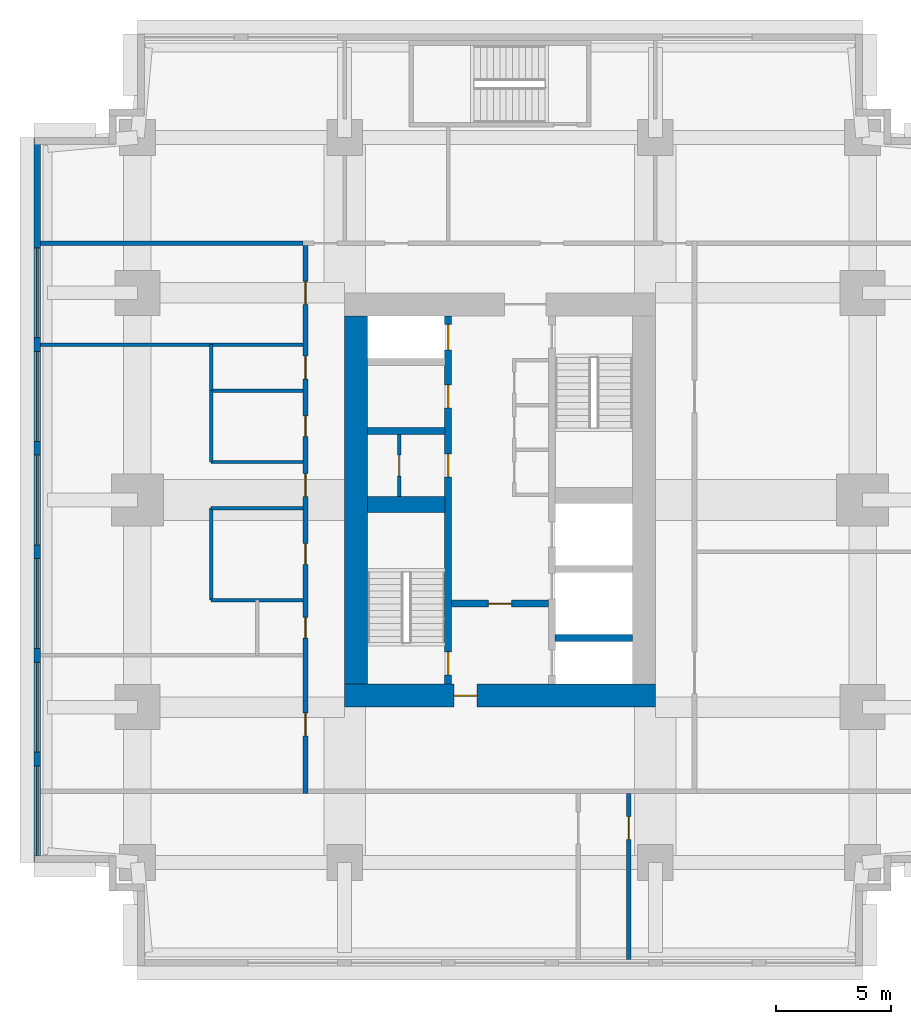
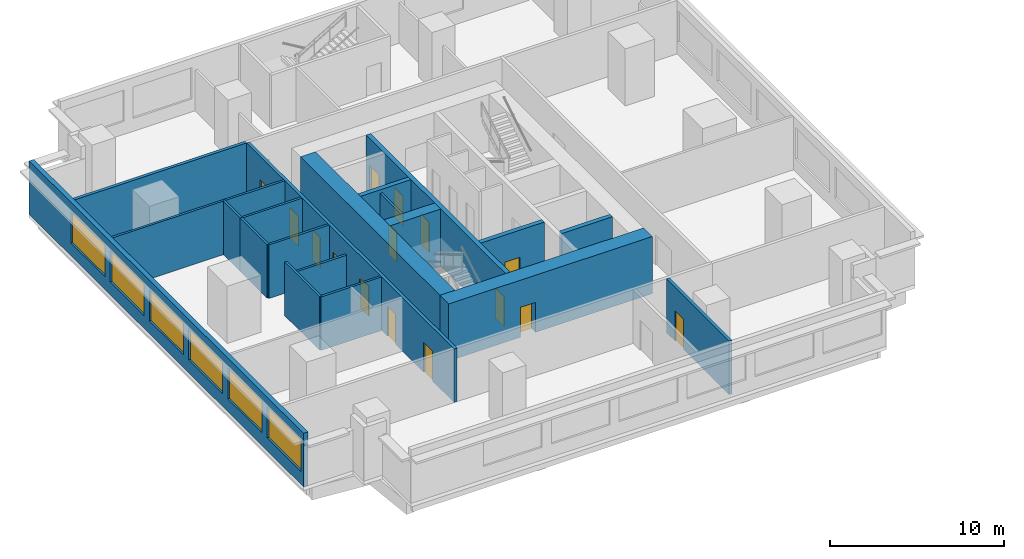
# One storey, part 3 of 11: 20 walls, 15 doors, 6 windows, 21 openings.
"""IFC4 building model written with IfcOpenShell, lengths in metres."""

from ifc_helpers import new_model, si_unit, direction, frame, frame_2d, origin, place, context, subcontext, project, spatial, rectangle, extrude, material, layer, layer_set, type_object, element, fill, save


model = new_model("IFC4")

# Units and contexts
model_context = context("Model", 3, precision=1e-05, world=origin(), true_north=direction((0.0, 1.0)))
body_context = subcontext(model_context, "Body", "Model", "MODEL_VIEW")
ifc_project = project(units=[si_unit("LENGTHUNIT", "METRE"), si_unit("AREAUNIT", "SQUARE_METRE"), si_unit("VOLUMEUNIT", "CUBIC_METRE"), si_unit("PLANEANGLEUNIT", "RADIAN"), si_unit("MASSUNIT", "GRAM", prefix="KILO")], contexts=[model_context])

# Site, building, storey
site_placement = place(None, origin())
site = spatial("IfcSite", under=ifc_project, at=site_placement, CompositionType="ELEMENT")
building_placement = place(site_placement, origin())
building = spatial("IfcBuilding", under=site, at=building_placement, Name="Namib Vertical Campus", CompositionType="ELEMENT")
storey_placement = place(building_placement, frame((0.0, 0.0, 213.0)))
storey = spatial("IfcBuildingStorey", under=building, at=storey_placement, Name="L50", CompositionType="ELEMENT", Elevation=213.0)

# Wall, openings, doors
ifc_material_1 = material(Name="Concrete C60/75", Category="concrete")
ifc_layer_1 = layer(ifc_material_1, 0.300048828125)
ifc_layer_set_1 = layer_set([ifc_layer_1], Name="Concrete C60/75")
wall_type_1 = type_object("IfcWallType", Name="Core inner wall 300", PredefinedType="SHEAR", material=ifc_layer_set_1)
wall_1_placement = place(storey_placement, frame((18.0, 12.25, 0.0), z_axis=(0.0, 0.0, 1.0), x_axis=(0.0, 1.0, 0.0)))
wall_1 = element("IfcWall", 1, at=wall_1_placement, inside=storey, type_object=wall_type_1, Name="Core inner wall A L50 W1", PredefinedType="SHEAR", context=body_context, shape_type="SweptSolid", body=[
    extrude(rectangle(XDim=16.0, YDim=0.300048828125, at=frame_2d((8.0, 0.0))), origin(), (0.0, 0.0, 1.0), 4.0),
])
opening_1_placement = place(wall_1_placement, frame((0.39990234375, 0.0, 0.0)))
opening_1 = element("IfcOpeningElement", 2, at=opening_1_placement, cuts=wall_1, Name="Opening FD1", PredefinedType="OPENING", context=body_context, shape_type="SweptSolid", body=[
    extrude(rectangle(XDim=1.0, YDim=2.10009765625, at=frame_2d((0.5, 1.050048828125))), frame((0.0, 0.159912109375, 0.0), z_axis=(0.0, -1.0, 0.0), x_axis=(1.0, 0.0, 0.0)), (0.0, 0.0, 1.0), 0.320068359375),
])
opening_2_placement = place(wall_1_placement, frame((14.52490234375, 0.0, 0.0)))
opening_2 = element("IfcOpeningElement", 3, at=opening_2_placement, cuts=wall_1, Name="Opening LD1", PredefinedType="OPENING", context=body_context, shape_type="SweptSolid", body=[
    extrude(rectangle(XDim=1.10009765625, YDim=2.10009765625, at=frame_2d((0.550048828125, 1.050048828125))), frame((0.0, 0.159912109375, 0.0), z_axis=(0.0, -1.0, 0.0), x_axis=(1.0, 0.0, 0.0)), (0.0, 0.0, 1.0), 0.320068359375),
])
opening_3_placement = place(wall_1_placement, frame((9.0, 0.0, 0.0)))
opening_3 = element("IfcOpeningElement", 4, at=opening_3_placement, cuts=wall_1, Name="Opening D1", PredefinedType="OPENING", context=body_context, shape_type="SweptSolid", body=[
    extrude(rectangle(XDim=1.0, YDim=2.10009765625, at=frame_2d((0.5, 1.050048828125))), frame((0.0, 0.159912109375, 0.0), z_axis=(0.0, -1.0, 0.0), x_axis=(1.0, 0.0, 0.0)), (0.0, 0.0, 1.0), 0.320068359375),
])
opening_4_placement = place(wall_1_placement, frame((12.0, 0.0, 0.0)))
opening_4 = element("IfcOpeningElement", 5, at=opening_4_placement, cuts=wall_1, Name="Opening D1", PredefinedType="OPENING", context=body_context, shape_type="SweptSolid", body=[
    extrude(rectangle(XDim=1.0, YDim=2.10009765625, at=frame_2d((0.5, 1.050048828125))), frame((0.0, 0.159912109375, 0.0), z_axis=(0.0, -1.0, 0.0), x_axis=(1.0, 0.0, 0.0)), (0.0, 0.0, 1.0), 0.320068359375),
])
ifc_material_2 = material(Name="Timber door leaf", Category="wood")
door_type_1 = type_object("IfcDoorType", Name="Door single 1000x2100", OperationType="SINGLE_SWING_LEFT", PredefinedType="DOOR", material=ifc_material_2)
door_1_placement = place(opening_3_placement, origin())
door_1 = element("IfcDoor", 6, at=door_1_placement, inside=storey, type_object=door_type_1, Name="Door D1 Records store A L50 P1", OperationType="SINGLE_SWING_LEFT", OverallHeight=2.10009765625, OverallWidth=1.0, PredefinedType="DOOR", context=body_context, shape_type="SweptSolid", body=[
    extrude(rectangle(XDim=1.0, YDim=2.10009765625, at=frame_2d((0.5, 1.050048828125))), frame((0.0, 0.02490234375, 0.0), z_axis=(0.0, -1.0, 0.0), x_axis=(1.0, 0.0, 0.0)), (0.0, 0.0, 1.0), 0.050048828125),
])
fill(opening_3, door_1)
door_2_placement = place(opening_4_placement, origin())
door_2 = element("IfcDoor", 7, at=door_2_placement, inside=storey, type_object=door_type_1, Name="Door D1 Staff pantry A L50 P2", OperationType="SINGLE_SWING_LEFT", OverallHeight=2.10009765625, OverallWidth=1.0, PredefinedType="DOOR", context=body_context, shape_type="SweptSolid", body=[
    extrude(rectangle(XDim=1.0, YDim=2.10009765625, at=frame_2d((0.5, 1.050048828125))), frame((0.0, 0.02490234375, 0.0), z_axis=(0.0, -1.0, 0.0), x_axis=(1.0, 0.0, 0.0)), (0.0, 0.0, 1.0), 0.050048828125),
])
fill(opening_4, door_2)
ifc_material_3 = material(Name="Steel fire door", Category="steel")
door_type_2 = type_object("IfcDoorType", Name="Fire door 1000x2100", OperationType="SINGLE_SWING_RIGHT", PredefinedType="DOOR", material=ifc_material_3)
door_3_placement = place(opening_1_placement, origin())
door_3 = element("IfcDoor", 8, at=door_3_placement, inside=storey, type_object=door_type_2, Name="Stair door FD1 A L50 S1", OperationType="SINGLE_SWING_LEFT", OverallHeight=2.10009765625, OverallWidth=1.0, PredefinedType="DOOR", context=body_context, shape_type="SweptSolid", body=[
    extrude(rectangle(XDim=1.0, YDim=2.10009765625, at=frame_2d((0.5, 1.050048828125))), frame((0.0, 0.02490234375, 0.0), z_axis=(0.0, -1.0, 0.0), x_axis=(1.0, 0.0, 0.0)), (0.0, 0.0, 1.0), 0.050048828125),
])
fill(opening_1, door_3)
ifc_material_4 = material(Name="Stainless steel lift door", Category="steel")
door_type_3 = type_object("IfcDoorType", Name="Lift landing door 1100x2100", OperationType="DOUBLE_DOOR_SLIDING", PredefinedType="DOOR", material=ifc_material_4)
door_4_placement = place(opening_2_placement, origin())
door_4 = element("IfcDoor", 9, at=door_4_placement, inside=storey, type_object=door_type_3, Name="Lift landing door LD1 A-P3 L50", OperationType="DOUBLE_DOOR_SLIDING", OverallHeight=2.10009765625, OverallWidth=1.10009765625, PredefinedType="DOOR", context=body_context, shape_type="SweptSolid", body=[
    extrude(rectangle(XDim=1.10009765625, YDim=2.10009765625, at=frame_2d((0.550048828125, 1.050048828125))), frame((0.0, 0.02490234375, 0.0), z_axis=(0.0, -1.0, 0.0), x_axis=(1.0, 0.0, 0.0)), (0.0, 0.0, 1.0), 0.050048828125),
])
fill(opening_2, door_4)

# Wall, opening, door
wall_2_placement = place(storey_placement, frame((18.14990234375, 15.75, 0.0), z_axis=(0.0, 0.0, 1.0), x_axis=(1.0, 0.0, 0.0)))
wall_2 = element("IfcWall", 10, at=wall_2_placement, inside=storey, type_object=wall_type_1, Name="Core inner wall A L50 W4", PredefinedType="SHEAR", context=body_context, shape_type="SweptSolid", body=[
    extrude(rectangle(XDim=4.2001953125, YDim=0.300048828125, at=frame_2d((2.10009765625, 0.0))), origin(), (0.0, 0.0, 1.0), 4.0),
])
opening_5_placement = place(wall_2_placement, frame((1.60009765625, 0.0, 0.0)))
opening_5 = element("IfcOpeningElement", 11, at=opening_5_placement, cuts=wall_2, Name="Opening FD5", PredefinedType="OPENING", context=body_context, shape_type="SweptSolid", body=[
    extrude(rectangle(XDim=1.0, YDim=2.10009765625, at=frame_2d((0.5, 1.050048828125))), frame((0.0, 0.159912109375, 0.0), z_axis=(0.0, -1.0, 0.0), x_axis=(1.0, 0.0, 0.0)), (0.0, 0.0, 1.0), 0.320068359375),
])
ifc_material_5 = material(Name="Steel fire door", Category="steel")
door_type_4 = type_object("IfcDoorType", Name="Fire door 1000x2100 120 min", OperationType="SINGLE_SWING_RIGHT", PredefinedType="DOOR", material=ifc_material_5)
door_5_placement = place(opening_5_placement, frame((1.0, 0.0, 0.0), z_axis=(0.0, 0.0, 1.0), x_axis=(-1.0, 0.0, 0.0)))
door_5 = element("IfcDoor", 12, at=door_5_placement, inside=storey, type_object=door_type_4, Name="Lobby door FD5 A L50", OperationType="SINGLE_SWING_RIGHT", OverallHeight=2.10009765625, OverallWidth=1.0, PredefinedType="DOOR", context=body_context, shape_type="SweptSolid", body=[
    extrude(rectangle(XDim=1.0, YDim=2.10009765625, at=frame_2d((0.5, 1.050048828125))), frame((0.0, 0.02490234375, 0.0), z_axis=(0.0, -1.0, 0.0), x_axis=(1.0, 0.0, 0.0)), (0.0, 0.0, 1.0), 0.050048828125),
])
fill(opening_5, door_5)

# Walls
for number, where, z_axis, x_axis, name in (
    (13, (22.64990234375, 14.25, 0.0), (0.0, 0.0, 1.0), (1.0, 0.0, 0.0), "Core inner wall A L50 W5"),
    (14, (14.5, 23.25, 0.0), (0.0, 0.0, 1.0), (1.0, 0.0, 0.0), "Core inner wall A L50 W8"),
):
    element("IfcWall", number, at=place(storey_placement, frame(where, z_axis=z_axis, x_axis=x_axis)), inside=storey, type_object=wall_type_1, Name=name, PredefinedType="SHEAR", context=body_context, shape_type="SweptSolid", body=[
        extrude(rectangle(XDim=3.35009765625, YDim=0.300048828125, at=frame_2d((1.675048828125, 0.0))), origin(), (0.0, 0.0, 1.0), 4.0),
    ])
ifc_material_6 = material(Name="Concrete C60/75", Category="concrete")
ifc_layer_2 = layer(ifc_material_6, 0.699951171875)
ifc_layer_set_2 = layer_set([ifc_layer_2], Name="Concrete C60/75")
wall_type_2 = type_object("IfcWallType", Name="Core shear wall 700", PredefinedType="SHEAR", material=ifc_layer_set_2)
wall_3_placement = place(storey_placement, frame((14.5, 20.050048828125, 0.0), z_axis=(0.0, 0.0, 1.0), x_axis=(1.0, 0.0, 0.0)))
element("IfcWall", 15, at=wall_3_placement, inside=storey, type_object=wall_type_2, Name="Core shear wall A L50 W3", PredefinedType="SHEAR", context=body_context, shape_type="SweptSolid", body=[
    extrude(rectangle(XDim=3.35009765625, YDim=0.699951171875, at=frame_2d((1.675048828125, 0.0))), origin(), (0.0, 0.0, 1.0), 4.0),
])

# Wall, opening, door
ifc_material_7 = material(Name="Concrete C60/75", Category="concrete")
ifc_layer_3 = layer(ifc_material_7, 1.0)
ifc_layer_set_3 = layer_set([ifc_layer_3], Name="Concrete C60/75")
wall_type_3 = type_object("IfcWallType", Name="Core wall 1000", PredefinedType="SHEAR", material=ifc_layer_set_3)
wall_4_placement = place(storey_placement, frame((13.5, 11.75, 0.0), z_axis=(0.0, 0.0, 1.0), x_axis=(1.0, 0.0, 0.0)))
wall_4 = element("IfcWall", 16, at=wall_4_placement, inside=storey, type_object=wall_type_3, Name="Core wall A L50 1", PredefinedType="SHEAR", context=body_context, shape_type="SweptSolid", body=[
    extrude(rectangle(XDim=13.5, YDim=1.0, at=frame_2d((6.75, 0.0))), origin(), (0.0, 0.0, 1.0), 4.0),
])
opening_6_placement = place(wall_4_placement, frame((4.75, 0.0, 0.0)))
opening_6 = element("IfcOpeningElement", 17, at=opening_6_placement, cuts=wall_4, Name="Opening FD5", PredefinedType="OPENING", context=body_context, shape_type="SweptSolid", body=[
    extrude(rectangle(XDim=1.0, YDim=2.10009765625, at=frame_2d((0.5, 1.050048828125))), frame((0.0, 0.510009765625, 0.0), z_axis=(0.0, -1.0, 0.0), x_axis=(1.0, 0.0, 0.0)), (0.0, 0.0, 1.0), 1.02001953125),
])
door_6_placement = place(opening_6_placement, origin())
door_6 = element("IfcDoor", 18, at=door_6_placement, inside=storey, type_object=door_type_4, Name="Firefighting lobby door FD5 A L50", OperationType="SINGLE_SWING_LEFT", OverallHeight=2.10009765625, OverallWidth=1.0, PredefinedType="DOOR", context=body_context, shape_type="SweptSolid", body=[
    extrude(rectangle(XDim=1.0, YDim=2.10009765625, at=frame_2d((0.5, 1.050048828125))), frame((0.0, 0.02490234375, 0.0), z_axis=(0.0, -1.0, 0.0), x_axis=(1.0, 0.0, 0.0)), (0.0, 0.0, 1.0), 0.050048828125),
])
fill(opening_6, door_6)

# Wall
wall_5_placement = place(storey_placement, frame((14.0, 28.25, 0.0), z_axis=(0.0, 0.0, 1.0), x_axis=(0.0, -1.0, 0.0)))
element("IfcWall", 19, at=wall_5_placement, inside=storey, type_object=wall_type_3, Name="Core wall A L50 4", PredefinedType="SHEAR", context=body_context, shape_type="SweptSolid", body=[
    extrude(rectangle(XDim=16.0, YDim=1.0, at=frame_2d((8.0, 0.0))), origin(), (0.0, 0.0, 1.0), 4.0),
])

# Wall, openings, doors
ifc_material_8 = material(Name="Concrete masonry", Category="masonry")
ifc_layer_4 = layer(ifc_material_8, 0.199951171875)
ifc_layer_set_4 = layer_set([ifc_layer_4], Name="Corridor wall 200")
wall_type_4 = type_object("IfcWallType", Name="Corridor wall 200", PredefinedType="SOLIDWALL", material=ifc_layer_set_4)
wall_6_placement = place(storey_placement, frame((11.800048828125, 31.300048828125, 0.0), z_axis=(0.0, 0.0, 1.0), x_axis=(0.0, -1.0, 0.0)))
wall_6 = element("IfcWall", 20, at=wall_6_placement, inside=storey, type_object=wall_type_4, Name="Corridor wall A L50 CW", PredefinedType="SOLIDWALL", context=body_context, shape_type="SweptSolid", body=[
    extrude(rectangle(XDim=23.800048828125, YDim=0.199951171875, at=frame_2d((11.89990234375, 0.0))), origin(), (0.0, 0.0, 1.0), 3.75),
])
opening_7_placement = place(wall_6_placement, frame((20.300048828125, 0.0, 0.0)))
opening_7 = element("IfcOpeningElement", 21, at=opening_7_placement, cuts=wall_6, Name="Opening CD1", PredefinedType="OPENING", context=body_context, shape_type="SweptSolid", body=[
    extrude(rectangle(XDim=1.0, YDim=2.10009765625, at=frame_2d((0.5, 1.050048828125))), frame((0.0, 0.10986328125, 0.0), z_axis=(0.0, -1.0, 0.0), x_axis=(1.0, 0.0, 0.0)), (0.0, 0.0, 1.0), 0.219970703125),
])
opening_8_placement = place(wall_6_placement, frame((16.14990234375, 0.0, 0.0)))
opening_8 = element("IfcOpeningElement", 22, at=opening_8_placement, cuts=wall_6, Name="Opening CD3", PredefinedType="OPENING", context=body_context, shape_type="SweptSolid", body=[
    extrude(rectangle(XDim=0.89990234375, YDim=2.10009765625, at=frame_2d((0.449951171875, 1.050048828125))), frame((0.0, 0.10986328125, 0.0), z_axis=(0.0, -1.0, 0.0), x_axis=(1.0, 0.0, 0.0)), (0.0, 0.0, 1.0), 0.219970703125),
])
opening_9_placement = place(wall_6_placement, frame((12.949951171875, 0.0, 0.0)))
opening_9 = element("IfcOpeningElement", 23, at=opening_9_placement, cuts=wall_6, Name="Opening CD3", PredefinedType="OPENING", context=body_context, shape_type="SweptSolid", body=[
    extrude(rectangle(XDim=0.89990234375, YDim=2.10009765625, at=frame_2d((0.449951171875, 1.050048828125))), frame((0.0, 0.10986328125, 0.0), z_axis=(0.0, -1.0, 0.0), x_axis=(1.0, 0.0, 0.0)), (0.0, 0.0, 1.0), 0.219970703125),
])
opening_10_placement = place(wall_6_placement, frame((7.39990234375, 0.0, 0.0)))
opening_10 = element("IfcOpeningElement", 24, at=opening_10_placement, cuts=wall_6, Name="Opening CD3", PredefinedType="OPENING", context=body_context, shape_type="SweptSolid", body=[
    extrude(rectangle(XDim=0.89990234375, YDim=2.10009765625, at=frame_2d((0.449951171875, 1.050048828125))), frame((0.0, 0.10986328125, 0.0), z_axis=(0.0, -1.0, 0.0), x_axis=(1.0, 0.0, 0.0)), (0.0, 0.0, 1.0), 0.219970703125),
])
opening_11_placement = place(wall_6_placement, frame((4.800048828125, 0.0, 0.0)))
opening_11 = element("IfcOpeningElement", 25, at=opening_11_placement, cuts=wall_6, Name="Opening CD1", PredefinedType="OPENING", context=body_context, shape_type="SweptSolid", body=[
    extrude(rectangle(XDim=1.0, YDim=2.10009765625, at=frame_2d((0.5, 1.050048828125))), frame((0.0, 0.10986328125, 0.0), z_axis=(0.0, -1.0, 0.0), x_axis=(1.0, 0.0, 0.0)), (0.0, 0.0, 1.0), 0.219970703125),
])
opening_12_placement = place(wall_6_placement, frame((9.89990234375, 0.0, 0.0)))
opening_12 = element("IfcOpeningElement", 26, at=opening_12_placement, cuts=wall_6, Name="Opening CD1", PredefinedType="OPENING", context=body_context, shape_type="SweptSolid", body=[
    extrude(rectangle(XDim=1.0, YDim=2.10009765625, at=frame_2d((0.5, 1.050048828125))), frame((0.0, 0.10986328125, 0.0), z_axis=(0.0, -1.0, 0.0), x_axis=(1.0, 0.0, 0.0)), (0.0, 0.0, 1.0), 0.219970703125),
])
opening_13_placement = place(wall_6_placement, frame((1.550048828125, 0.0, 0.0)))
opening_13 = element("IfcOpeningElement", 27, at=opening_13_placement, cuts=wall_6, Name="Opening CD1", PredefinedType="OPENING", context=body_context, shape_type="SweptSolid", body=[
    extrude(rectangle(XDim=1.0, YDim=2.10009765625, at=frame_2d((0.5, 1.050048828125))), frame((0.0, 0.10986328125, 0.0), z_axis=(0.0, -1.0, 0.0), x_axis=(1.0, 0.0, 0.0)), (0.0, 0.0, 1.0), 0.219970703125),
])
ifc_material_9 = material(Name="Timber fire door leaf", Category="wood")
door_type_5 = type_object("IfcDoorType", Name="Corridor door 1000x2100 20 min", OperationType="SINGLE_SWING_LEFT", PredefinedType="DOOR", material=ifc_material_9)
door_7_placement = place(opening_7_placement, frame((1.0, 0.0, 0.0), z_axis=(0.0, 0.0, 1.0), x_axis=(-1.0, 0.0, 0.0)))
door_7 = element("IfcDoor", 28, at=door_7_placement, inside=storey, type_object=door_type_5, Name="Door CD1 A50-09", OperationType="SINGLE_SWING_RIGHT", OverallHeight=2.10009765625, OverallWidth=1.0, PredefinedType="DOOR", context=body_context, shape_type="SweptSolid", body=[
    extrude(rectangle(XDim=1.0, YDim=2.10009765625, at=frame_2d((0.5, 1.050048828125))), frame((0.0, 0.02490234375, 0.0), z_axis=(0.0, -1.0, 0.0), x_axis=(1.0, 0.0, 0.0)), (0.0, 0.0, 1.0), 0.050048828125),
])
fill(opening_7, door_7)
door_8_placement = place(opening_11_placement, frame((1.0, 0.0, 0.0), z_axis=(0.0, 0.0, 1.0), x_axis=(-1.0, 0.0, 0.0)))
door_8 = element("IfcDoor", 29, at=door_8_placement, inside=storey, type_object=door_type_5, Name="Door CD1 A50-13", OperationType="SINGLE_SWING_RIGHT", OverallHeight=2.10009765625, OverallWidth=1.0, PredefinedType="DOOR", context=body_context, shape_type="SweptSolid", body=[
    extrude(rectangle(XDim=1.0, YDim=2.10009765625, at=frame_2d((0.5, 1.050048828125))), frame((0.0, 0.02490234375, 0.0), z_axis=(0.0, -1.0, 0.0), x_axis=(1.0, 0.0, 0.0)), (0.0, 0.0, 1.0), 0.050048828125),
])
fill(opening_11, door_8)
door_9_placement = place(opening_12_placement, frame((1.0, 0.0, 0.0), z_axis=(0.0, 0.0, 1.0), x_axis=(-1.0, 0.0, 0.0)))
door_9 = element("IfcDoor", 30, at=door_9_placement, inside=storey, type_object=door_type_5, Name="Door CD1 A50-14", OperationType="SINGLE_SWING_RIGHT", OverallHeight=2.10009765625, OverallWidth=1.0, PredefinedType="DOOR", context=body_context, shape_type="SweptSolid", body=[
    extrude(rectangle(XDim=1.0, YDim=2.10009765625, at=frame_2d((0.5, 1.050048828125))), frame((0.0, 0.02490234375, 0.0), z_axis=(0.0, -1.0, 0.0), x_axis=(1.0, 0.0, 0.0)), (0.0, 0.0, 1.0), 0.050048828125),
])
fill(opening_12, door_9)
door_10_placement = place(opening_13_placement, frame((1.0, 0.0, 0.0), z_axis=(0.0, 0.0, 1.0), x_axis=(-1.0, 0.0, 0.0)))
door_10 = element("IfcDoor", 31, at=door_10_placement, inside=storey, type_object=door_type_5, Name="Door CD1 A50-15", OperationType="SINGLE_SWING_RIGHT", OverallHeight=2.10009765625, OverallWidth=1.0, PredefinedType="DOOR", context=body_context, shape_type="SweptSolid", body=[
    extrude(rectangle(XDim=1.0, YDim=2.10009765625, at=frame_2d((0.5, 1.050048828125))), frame((0.0, 0.02490234375, 0.0), z_axis=(0.0, -1.0, 0.0), x_axis=(1.0, 0.0, 0.0)), (0.0, 0.0, 1.0), 0.050048828125),
])
fill(opening_13, door_10)
ifc_material_10 = material(Name="Timber fire door leaf", Category="wood")
door_type_6 = type_object("IfcDoorType", Name="Corridor toilet door 900x2100 20 min", OperationType="SINGLE_SWING_LEFT", PredefinedType="DOOR", material=ifc_material_10)
door_11_placement = place(opening_8_placement, frame((0.89990234375, 0.0, 0.0), z_axis=(0.0, 0.0, 1.0), x_axis=(-1.0, 0.0, 0.0)))
door_11 = element("IfcDoor", 32, at=door_11_placement, inside=storey, type_object=door_type_6, Name="Door CD3 A50-10", OperationType="SINGLE_SWING_RIGHT", OverallHeight=2.10009765625, OverallWidth=0.89990234375, PredefinedType="DOOR", context=body_context, shape_type="SweptSolid", body=[
    extrude(rectangle(XDim=0.89990234375, YDim=2.10009765625, at=frame_2d((0.449951171875, 1.050048828125))), frame((0.0, 0.02490234375, 0.0), z_axis=(0.0, -1.0, 0.0), x_axis=(1.0, 0.0, 0.0)), (0.0, 0.0, 1.0), 0.050048828125),
])
fill(opening_8, door_11)
door_12_placement = place(opening_9_placement, frame((0.89990234375, 0.0, 0.0), z_axis=(0.0, 0.0, 1.0), x_axis=(-1.0, 0.0, 0.0)))
door_12 = element("IfcDoor", 33, at=door_12_placement, inside=storey, type_object=door_type_6, Name="Door CD3 A50-11", OperationType="SINGLE_SWING_RIGHT", OverallHeight=2.10009765625, OverallWidth=0.89990234375, PredefinedType="DOOR", context=body_context, shape_type="SweptSolid", body=[
    extrude(rectangle(XDim=0.89990234375, YDim=2.10009765625, at=frame_2d((0.449951171875, 1.050048828125))), frame((0.0, 0.02490234375, 0.0), z_axis=(0.0, -1.0, 0.0), x_axis=(1.0, 0.0, 0.0)), (0.0, 0.0, 1.0), 0.050048828125),
])
fill(opening_9, door_12)
door_13_placement = place(opening_10_placement, frame((0.89990234375, 0.0, 0.0), z_axis=(0.0, 0.0, 1.0), x_axis=(-1.0, 0.0, 0.0)))
door_13 = element("IfcDoor", 34, at=door_13_placement, inside=storey, type_object=door_type_6, Name="Door CD3 A50-12", OperationType="SINGLE_SWING_RIGHT", OverallHeight=2.10009765625, OverallWidth=0.89990234375, PredefinedType="DOOR", context=body_context, shape_type="SweptSolid", body=[
    extrude(rectangle(XDim=0.89990234375, YDim=2.10009765625, at=frame_2d((0.449951171875, 1.050048828125))), frame((0.0, 0.02490234375, 0.0), z_axis=(0.0, -1.0, 0.0), x_axis=(1.0, 0.0, 0.0)), (0.0, 0.0, 1.0), 0.050048828125),
])
fill(opening_10, door_13)

# Wall, opening, door
wall_7_placement = place(storey_placement, frame((25.85009765625, 7.5, 0.0), z_axis=(0.0, 0.0, 1.0), x_axis=(0.0, -1.0, 0.0)))
wall_7 = element("IfcWall", 35, at=wall_7_placement, inside=storey, type_object=wall_type_4, Name="Corridor wall A L50 SPS2", PredefinedType="SOLIDWALL", context=body_context, shape_type="SweptSolid", body=[
    extrude(rectangle(XDim=7.199951171875, YDim=0.199951171875, at=frame_2d((3.60009765625, 0.0))), origin(), (0.0, 0.0, 1.0), 3.75),
])
opening_14_placement = place(wall_7_placement, frame((1.0, 0.0, 0.0)))
opening_14 = element("IfcOpeningElement", 36, at=opening_14_placement, cuts=wall_7, Name="Opening CD1", PredefinedType="OPENING", context=body_context, shape_type="SweptSolid", body=[
    extrude(rectangle(XDim=1.0, YDim=2.10009765625, at=frame_2d((0.5, 1.050048828125))), frame((0.0, 0.10986328125, 0.0), z_axis=(0.0, -1.0, 0.0), x_axis=(1.0, 0.0, 0.0)), (0.0, 0.0, 1.0), 0.219970703125),
])
door_14_placement = place(opening_14_placement, origin())
door_14 = element("IfcDoor", 37, at=door_14_placement, inside=storey, type_object=door_type_5, Name="Door CD1 A50-02", OperationType="SINGLE_SWING_LEFT", OverallHeight=2.10009765625, OverallWidth=1.0, PredefinedType="DOOR", context=body_context, shape_type="SweptSolid", body=[
    extrude(rectangle(XDim=1.0, YDim=2.10009765625, at=frame_2d((0.5, 1.050048828125))), frame((0.0, 0.02490234375, 0.0), z_axis=(0.0, -1.0, 0.0), x_axis=(1.0, 0.0, 0.0)), (0.0, 0.0, 1.0), 0.050048828125),
])
fill(opening_14, door_14)

# Wall
wall_8_placement = place(storey_placement, frame((0.300048828125, 31.39990234375, 0.0), z_axis=(0.0, 0.0, 1.0), x_axis=(1.0, 0.0, 0.0)))
element("IfcWall", 38, at=wall_8_placement, inside=storey, type_object=wall_type_4, Name="Partition A L50 BNW", PredefinedType="SOLIDWALL", context=body_context, shape_type="SweptSolid", body=[
    extrude(rectangle(XDim=11.39990234375, YDim=0.199951171875, at=frame_2d((5.699951171875, 0.0))), origin(), (0.0, 0.0, 1.0), 3.75),
])

# Wall, openings, windows
ifc_material_11 = material(Name="Concrete C40/50", Category="concrete")
ifc_layer_5 = layer(ifc_material_11, 0.300048828125)
ifc_layer_set_5 = layer_set([ifc_layer_5], Name="Concrete C40/50")
wall_type_5 = type_object("IfcWallType", Name="External wall 300 board-marked concrete", PredefinedType="STANDARD", material=ifc_layer_set_5)
wall_9_placement = place(storey_placement, frame((0.14990234375, 35.97998046875, 0.0), z_axis=(0.0, 0.0, 1.0), x_axis=(0.0, -1.0, 0.0)))
wall_9 = element("IfcWall", 39, at=wall_9_placement, inside=storey, type_object=wall_type_5, Name="External wall L50 F16", PredefinedType="STANDARD", context=body_context, shape_type="SweptSolid", body=[
    extrude(rectangle(XDim=31.4599609375, YDim=0.300048828125, at=frame_2d((15.72998046875, 0.0))), origin(), (0.0, 0.0, 1.0), 3.75),
])
opening_15_placement = place(wall_9_placement, frame((27.280029296875, 0.0, 0.89990234375)))
opening_15 = element("IfcOpeningElement", 40, at=opening_15_placement, cuts=wall_9, Name="Opening W1", PredefinedType="OPENING", context=body_context, shape_type="SweptSolid", body=[
    extrude(rectangle(XDim=3.89990234375, YDim=2.199951171875, at=frame_2d((1.949951171875, 1.10009765625))), frame((0.0, 0.159912109375, 0.0), z_axis=(0.0, -1.0, 0.0), x_axis=(1.0, 0.0, 0.0)), (0.0, 0.0, 1.0), 0.320068359375),
])
opening_16_placement = place(wall_9_placement, frame((22.780029296875, 0.0, 0.89990234375)))
opening_16 = element("IfcOpeningElement", 41, at=opening_16_placement, cuts=wall_9, Name="Opening W1", PredefinedType="OPENING", context=body_context, shape_type="SweptSolid", body=[
    extrude(rectangle(XDim=3.89990234375, YDim=2.199951171875, at=frame_2d((1.949951171875, 1.10009765625))), frame((0.0, 0.159912109375, 0.0), z_axis=(0.0, -1.0, 0.0), x_axis=(1.0, 0.0, 0.0)), (0.0, 0.0, 1.0), 0.320068359375),
])
opening_17_placement = place(wall_9_placement, frame((18.280029296875, 0.0, 0.89990234375)))
opening_17 = element("IfcOpeningElement", 42, at=opening_17_placement, cuts=wall_9, Name="Opening W1", PredefinedType="OPENING", context=body_context, shape_type="SweptSolid", body=[
    extrude(rectangle(XDim=3.89990234375, YDim=2.199951171875, at=frame_2d((1.949951171875, 1.10009765625))), frame((0.0, 0.159912109375, 0.0), z_axis=(0.0, -1.0, 0.0), x_axis=(1.0, 0.0, 0.0)), (0.0, 0.0, 1.0), 0.320068359375),
])
opening_18_placement = place(wall_9_placement, frame((13.780029296875, 0.0, 0.89990234375)))
opening_18 = element("IfcOpeningElement", 43, at=opening_18_placement, cuts=wall_9, Name="Opening W1", PredefinedType="OPENING", context=body_context, shape_type="SweptSolid", body=[
    extrude(rectangle(XDim=3.89990234375, YDim=2.199951171875, at=frame_2d((1.949951171875, 1.10009765625))), frame((0.0, 0.159912109375, 0.0), z_axis=(0.0, -1.0, 0.0), x_axis=(1.0, 0.0, 0.0)), (0.0, 0.0, 1.0), 0.320068359375),
])
opening_19_placement = place(wall_9_placement, frame((9.280029296875, 0.0, 0.89990234375)))
opening_19 = element("IfcOpeningElement", 44, at=opening_19_placement, cuts=wall_9, Name="Opening W1", PredefinedType="OPENING", context=body_context, shape_type="SweptSolid", body=[
    extrude(rectangle(XDim=3.89990234375, YDim=2.199951171875, at=frame_2d((1.949951171875, 1.10009765625))), frame((0.0, 0.159912109375, 0.0), z_axis=(0.0, -1.0, 0.0), x_axis=(1.0, 0.0, 0.0)), (0.0, 0.0, 1.0), 0.320068359375),
])
opening_20_placement = place(wall_9_placement, frame((4.780029296875, 0.0, 0.89990234375)))
opening_20 = element("IfcOpeningElement", 45, at=opening_20_placement, cuts=wall_9, Name="Opening W1", PredefinedType="OPENING", context=body_context, shape_type="SweptSolid", body=[
    extrude(rectangle(XDim=3.89990234375, YDim=2.199951171875, at=frame_2d((1.949951171875, 1.10009765625))), frame((0.0, 0.159912109375, 0.0), z_axis=(0.0, -1.0, 0.0), x_axis=(1.0, 0.0, 0.0)), (0.0, 0.0, 1.0), 0.320068359375),
])
ifc_material_12 = material(Name="Dark tinted glass in black aluminium frame", Category="aluminium")
window_type = type_object("IfcWindowType", Name="Ribbon window 3900x2200", PartitioningType="SINGLE_PANEL", PredefinedType="WINDOW", material=ifc_material_12)
window_1_placement = place(opening_15_placement, origin())
window_1 = element("IfcWindow", 46, at=window_1_placement, inside=storey, type_object=window_type, Name="Window W1 L50 F16-1", OverallHeight=2.199951171875, OverallWidth=3.89990234375, PartitioningType="SINGLE_PANEL", PredefinedType="WINDOW", context=body_context, shape_type="SweptSolid", body=[
    extrude(rectangle(XDim=3.89990234375, YDim=2.199951171875, at=frame_2d((1.949951171875, 1.10009765625))), frame((0.0, 0.030029296875, 0.0), z_axis=(0.0, -1.0, 0.0), x_axis=(1.0, 0.0, 0.0)), (0.0, 0.0, 1.0), 0.06005859375),
])
fill(opening_15, window_1)
window_2_placement = place(opening_16_placement, origin())
window_2 = element("IfcWindow", 47, at=window_2_placement, inside=storey, type_object=window_type, Name="Window W1 L50 F16-2", OverallHeight=2.199951171875, OverallWidth=3.89990234375, PartitioningType="SINGLE_PANEL", PredefinedType="WINDOW", context=body_context, shape_type="SweptSolid", body=[
    extrude(rectangle(XDim=3.89990234375, YDim=2.199951171875, at=frame_2d((1.949951171875, 1.10009765625))), frame((0.0, 0.030029296875, 0.0), z_axis=(0.0, -1.0, 0.0), x_axis=(1.0, 0.0, 0.0)), (0.0, 0.0, 1.0), 0.06005859375),
])
fill(opening_16, window_2)
window_3_placement = place(opening_17_placement, origin())
window_3 = element("IfcWindow", 48, at=window_3_placement, inside=storey, type_object=window_type, Name="Window W1 L50 F16-3", OverallHeight=2.199951171875, OverallWidth=3.89990234375, PartitioningType="SINGLE_PANEL", PredefinedType="WINDOW", context=body_context, shape_type="SweptSolid", body=[
    extrude(rectangle(XDim=3.89990234375, YDim=2.199951171875, at=frame_2d((1.949951171875, 1.10009765625))), frame((0.0, 0.030029296875, 0.0), z_axis=(0.0, -1.0, 0.0), x_axis=(1.0, 0.0, 0.0)), (0.0, 0.0, 1.0), 0.06005859375),
])
fill(opening_17, window_3)
window_4_placement = place(opening_18_placement, origin())
window_4 = element("IfcWindow", 49, at=window_4_placement, inside=storey, type_object=window_type, Name="Window W1 L50 F16-4", OverallHeight=2.199951171875, OverallWidth=3.89990234375, PartitioningType="SINGLE_PANEL", PredefinedType="WINDOW", context=body_context, shape_type="SweptSolid", body=[
    extrude(rectangle(XDim=3.89990234375, YDim=2.199951171875, at=frame_2d((1.949951171875, 1.10009765625))), frame((0.0, 0.030029296875, 0.0), z_axis=(0.0, -1.0, 0.0), x_axis=(1.0, 0.0, 0.0)), (0.0, 0.0, 1.0), 0.06005859375),
])
fill(opening_18, window_4)
window_5_placement = place(opening_19_placement, origin())
window_5 = element("IfcWindow", 50, at=window_5_placement, inside=storey, type_object=window_type, Name="Window W1 L50 F16-5", OverallHeight=2.199951171875, OverallWidth=3.89990234375, PartitioningType="SINGLE_PANEL", PredefinedType="WINDOW", context=body_context, shape_type="SweptSolid", body=[
    extrude(rectangle(XDim=3.89990234375, YDim=2.199951171875, at=frame_2d((1.949951171875, 1.10009765625))), frame((0.0, 0.030029296875, 0.0), z_axis=(0.0, -1.0, 0.0), x_axis=(1.0, 0.0, 0.0)), (0.0, 0.0, 1.0), 0.06005859375),
])
fill(opening_19, window_5)
window_6_placement = place(opening_20_placement, origin())
window_6 = element("IfcWindow", 51, at=window_6_placement, inside=storey, type_object=window_type, Name="Window W1 L50 F16-6", OverallHeight=2.199951171875, OverallWidth=3.89990234375, PartitioningType="SINGLE_PANEL", PredefinedType="WINDOW", context=body_context, shape_type="SweptSolid", body=[
    extrude(rectangle(XDim=3.89990234375, YDim=2.199951171875, at=frame_2d((1.949951171875, 1.10009765625))), frame((0.0, 0.030029296875, 0.0), z_axis=(0.0, -1.0, 0.0), x_axis=(1.0, 0.0, 0.0)), (0.0, 0.0, 1.0), 0.06005859375),
])
fill(opening_20, window_6)

# Wall, opening, door
ifc_material_13 = material(Name="Gypsum board on steel studs", Category="steel")
ifc_layer_6 = layer(ifc_material_13, 0.14990234375)
ifc_layer_set_6 = layer_set([ifc_layer_6], Name="Gypsum board on steel studs")
wall_type_6 = type_object("IfcWallType", Name="Partition 150", PredefinedType="PARTITIONING", material=ifc_layer_set_6)
wall_10_placement = place(storey_placement, frame((15.875, 20.39990234375, 0.0), z_axis=(0.0, 0.0, 1.0), x_axis=(0.0, 1.0, 0.0)))
wall_10 = element("IfcWall", 52, at=wall_10_placement, inside=storey, type_object=wall_type_6, Name="Partition A L50 Records store P1 back", PredefinedType="PARTITIONING", context=body_context, shape_type="SweptSolid", body=[
    extrude(rectangle(XDim=2.7001953125, YDim=0.14990234375, at=frame_2d((1.35009765625, 0.0))), origin(), (0.0, 0.0, 1.0), 3.75),
])
opening_21_placement = place(wall_10_placement, frame((0.89990234375, 0.0, 0.0)))
opening_21 = element("IfcOpeningElement", 53, at=opening_21_placement, cuts=wall_10, Name="Opening D3", PredefinedType="OPENING", context=body_context, shape_type="SweptSolid", body=[
    extrude(rectangle(XDim=0.89990234375, YDim=2.10009765625, at=frame_2d((0.449951171875, 1.050048828125))), frame((0.0, 0.0849609375, 0.0), z_axis=(0.0, -1.0, 0.0), x_axis=(1.0, 0.0, 0.0)), (0.0, 0.0, 1.0), 0.169921875),
])
ifc_material_14 = material(Name="Timber door leaf", Category="wood")
door_type_7 = type_object("IfcDoorType", Name="Toilet door 900x2100", OperationType="SINGLE_SWING_LEFT", PredefinedType="DOOR", material=ifc_material_14)
door_15_placement = place(opening_21_placement, origin())
door_15 = element("IfcDoor", 54, at=door_15_placement, inside=storey, type_object=door_type_7, Name="Door D3 Store A L50 P1", OperationType="SINGLE_SWING_LEFT", OverallHeight=2.10009765625, OverallWidth=0.89990234375, PredefinedType="DOOR", context=body_context, shape_type="SweptSolid", body=[
    extrude(rectangle(XDim=0.89990234375, YDim=2.10009765625, at=frame_2d((0.449951171875, 1.050048828125))), frame((0.0, 0.02490234375, 0.0), z_axis=(0.0, -1.0, 0.0), x_axis=(1.0, 0.0, 0.0)), (0.0, 0.0, 1.0), 0.050048828125),
])
fill(opening_21, door_15)

# Walls
wall_11_placement = place(storey_placement, frame((0.300048828125, 27.0, 0.0), z_axis=(0.0, 0.0, 1.0), x_axis=(1.0, 0.0, 0.0)))
element("IfcWall", 55, at=wall_11_placement, inside=storey, type_object=wall_type_6, Name="Partition A L50 PW2", PredefinedType="PARTITIONING", context=body_context, shape_type="SweptSolid", body=[
    extrude(rectangle(XDim=11.39990234375, YDim=0.14990234375, at=frame_2d((5.699951171875, 0.0))), origin(), (0.0, 0.0, 1.0), 3.75),
])
wall_12_placement = place(storey_placement, frame((11.699951171875, 15.89990234375, 0.0), z_axis=(0.0, 0.0, 1.0), x_axis=(-1.0, 0.0, 0.0)))
element("IfcWall", 56, at=wall_12_placement, inside=storey, type_object=wall_type_6, Name="Partition A L50 WR1", PredefinedType="PARTITIONING", context=body_context, shape_type="SweptSolid", body=[
    extrude(rectangle(XDim=4.0, YDim=0.14990234375, at=frame_2d((2.0, 0.0))), origin(), (0.0, 0.0, 1.0), 3.75),
])
wall_13_placement = place(storey_placement, frame((11.699951171875, 19.89990234375, 0.0), z_axis=(0.0, 0.0, 1.0), x_axis=(-1.0, 0.0, 0.0)))
element("IfcWall", 57, at=wall_13_placement, inside=storey, type_object=wall_type_6, Name="Partition A L50 WR2", PredefinedType="PARTITIONING", context=body_context, shape_type="SweptSolid", body=[
    extrude(rectangle(XDim=4.0, YDim=0.14990234375, at=frame_2d((2.0, 0.0))), origin(), (0.0, 0.0, 1.0), 2.85009765625),
])
for number, where, z_axis, x_axis, name in (
    (58, (11.699951171875, 21.89990234375, 0.0), (0.0, 0.0, 1.0), (-1.0, 0.0, 0.0), "Partition A L50 WR3"),
    (59, (11.699951171875, 25.0, 0.0), (0.0, 0.0, 1.0), (-1.0, 0.0, 0.0), "Partition A L50 WR4"),
    (60, (7.699951171875, 15.89990234375, 0.0), (0.0, 0.0, 1.0), (0.0, 1.0, 0.0), "Partition A L50 WB2"),
):
    element("IfcWall", number, at=place(storey_placement, frame(where, z_axis=z_axis, x_axis=x_axis)), inside=storey, type_object=wall_type_6, Name=name, PredefinedType="PARTITIONING", context=body_context, shape_type="SweptSolid", body=[
        extrude(rectangle(XDim=4.0, YDim=0.14990234375, at=frame_2d((2.0, 0.0))), origin(), (0.0, 0.0, 1.0), 3.75),
    ])
wall_14_placement = place(storey_placement, frame((7.699951171875, 21.89990234375, 0.0), z_axis=(0.0, 0.0, 1.0), x_axis=(0.0, 1.0, 0.0)))
element("IfcWall", 61, at=wall_14_placement, inside=storey, type_object=wall_type_6, Name="Partition A L50 WB3", PredefinedType="PARTITIONING", context=body_context, shape_type="SweptSolid", body=[
    extrude(rectangle(XDim=3.10009765625, YDim=0.14990234375, at=frame_2d((1.550048828125, 0.0))), origin(), (0.0, 0.0, 1.0), 3.75),
])
wall_15_placement = place(storey_placement, frame((7.699951171875, 25.0, 0.0), z_axis=(0.0, 0.0, 1.0), x_axis=(0.0, 1.0, 0.0)))
element("IfcWall", 62, at=wall_15_placement, inside=storey, type_object=wall_type_6, Name="Partition A L50 WB4", PredefinedType="PARTITIONING", context=body_context, shape_type="SweptSolid", body=[
    extrude(rectangle(XDim=2.0, YDim=0.14990234375, at=frame_2d((1.0, 0.0))), origin(), (0.0, 0.0, 1.0), 3.75),
])

save(model, "model.ifc")
